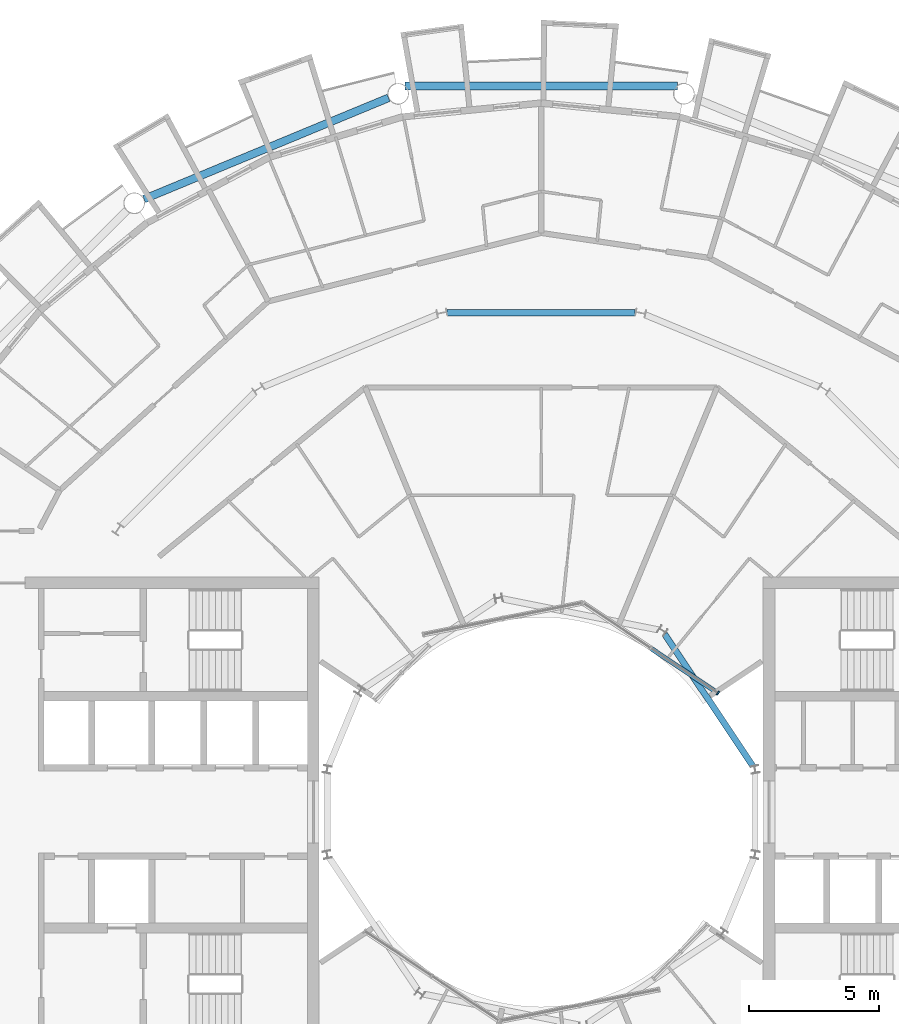
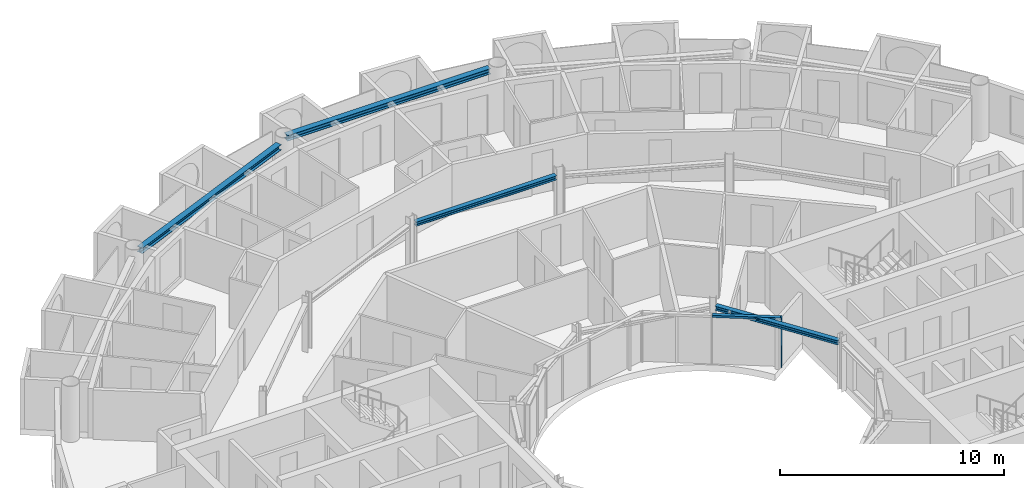
# One storey, part 10 of 29: 4 beams, 2 members, 1 element without a shape of its own.
"""IFC4 building model written with IfcOpenShell, lengths in metres."""

from ifc_helpers import new_model, si_unit, direction, frame, origin, origin_2d, place, context, subcontext, project, spatial, rectangle, i_section, extrude, material, layer, layer_set, material_profile, profile_set, type_object, element, aggregate, save


model = new_model("IFC4")

# Units and contexts
model_context = context("Model", 3, precision=1e-05, world=origin(), true_north=direction((0.0, 1.0)))
body_context = subcontext(model_context, "Body", "Model", "MODEL_VIEW")
ifc_project = project(units=[si_unit("LENGTHUNIT", "METRE"), si_unit("AREAUNIT", "SQUARE_METRE"), si_unit("VOLUMEUNIT", "CUBIC_METRE"), si_unit("PLANEANGLEUNIT", "RADIAN"), si_unit("MASSUNIT", "GRAM", prefix="KILO")], contexts=[model_context])

# Site, building, storey
site_placement = place(None, origin())
site = spatial("IfcSite", under=ifc_project, at=site_placement, CompositionType="ELEMENT")
building_placement = place(site_placement, origin())
building = spatial("IfcBuilding", under=site, at=building_placement, Name="Maasbend Ring Residences", CompositionType="ELEMENT")
storey_placement = place(building_placement, frame((0.0, 0.0, 212.699951171875)))
storey = spatial("IfcBuildingStorey", under=building, at=storey_placement, Name="L61", CompositionType="ELEMENT", Elevation=212.699951171875)

# Curtain wall, members
ifc_material_1 = material(Name="Aluminium and clear glass", Category="aluminium")
ifc_layer = layer(ifc_material_1, 0.179931640625)
ifc_layer_set = layer_set([ifc_layer], Name="CW-W")
curtain_wall_type = type_object("IfcCurtainWallType", Name="CW-W", PredefinedType="NOTDEFINED", material=ifc_layer_set)
curtain_wall_placement = place(storey_placement, origin())
curtain_wall = element("IfcCurtainWall", 1, at=curtain_wall_placement, inside=storey, type_object=curtain_wall_type, Name="Well curtain wall N1", PredefinedType="NOTDEFINED")
ifc_material_2 = material(Name="Aluminium 6063-T6", Category="aluminium")
ifc_material_profile_1 = material_profile(ifc_material_2, rectangle(XDim=0.179931640625, YDim=0.06005859375, at=origin_2d()), Name="AL 180x60")
ifc_profile_set_1 = profile_set([ifc_material_profile_1], Name="Aluminium 6063-T6")
member_type_1 = type_object("IfcMemberType", Name="CWM-W", PredefinedType="MULLION", material=ifc_profile_set_1)
member_1_placement = place(storey_placement, frame((6.805908203125, 4.580810546875, 0.0), z_axis=(0.0, 0.0, 1.0), x_axis=(-0.55557023302, -0.831469612303, 0.0)))
member_1 = element("IfcMember", 2, at=member_1_placement, type_object=member_type_1, Name="Mullion well face", PredefinedType="MULLION", context=body_context, shape_type="SweptSolid", body=[
    extrude(rectangle(XDim=0.179931640625, YDim=0.06005859375, at=origin_2d()), origin(), (0.0, 0.0, 1.0), 2.699951171875),
])
ifc_material_3 = material(Name="Aluminium 6063-T6", Category="aluminium")
ifc_material_profile_2 = material_profile(ifc_material_3, rectangle(XDim=0.179931640625, YDim=0.1201171875, at=origin_2d()), Name="AL 180x120")
ifc_profile_set_2 = profile_set([ifc_material_profile_2], Name="Aluminium 6063-T6")
member_type_2 = type_object("IfcMemberType", Name="CWT-W", PredefinedType="USERDEFINED", material=ifc_profile_set_2)
member_2_placement = place(storey_placement, frame((6.781005859375, 4.59765625, 2.64013671875), z_axis=(-0.831496422459, 0.555530106689, 0.0), x_axis=(-0.555530106689, -0.831496422459, 0.0)))
member_2 = element("IfcMember", 3, at=member_2_placement, type_object=member_type_2, Name="Transom well face", ObjectType="TRANSOM", PredefinedType="USERDEFINED", context=body_context, shape_type="SweptSolid", body=[
    extrude(rectangle(XDim=0.179931640625, YDim=0.1201171875, at=origin_2d()), origin(), (0.0, 0.0, 1.0), 3.053955078125),
])
aggregate(curtain_wall, [member_1, member_2])

# Beams
ifc_material_4 = material(Name="Steel S355J2", Category="steel")
ifc_material_profile_3 = material_profile(ifc_material_4, i_section(OverallWidth=0.239990234375, OverallDepth=0.22998046875, WebThickness=0.007568359375, FlangeThickness=0.011962890625, FilletRadius=0.02099609375, at=origin_2d()), Name="HEA 240")
ifc_profile_set_3 = profile_set([ifc_material_profile_3], Name="Steel S355J2")
beam_type_1 = type_object("IfcBeamType", Name="Corridor ring beam HEA 240", PredefinedType="BEAM", material=ifc_profile_set_3)
beam_1_placement = place(storey_placement, frame((3.619873046875, 19.223388671875, 2.5849609375), z_axis=(-1.0, 0.0, 0.0), x_axis=(0.0, -1.0, 0.0)))
element("IfcBeam", 4, at=beam_1_placement, inside=storey, type_object=beam_type_1, Name="Corridor ring beam", PredefinedType="BEAM", context=body_context, shape_type="SweptSolid", body=[
    extrude(i_section(OverallWidth=0.239990234375, OverallDepth=0.22998046875, WebThickness=0.007568359375, FlangeThickness=0.011962890625, FilletRadius=0.02099609375, at=origin_2d()), origin(), (0.0, 0.0, 1.0), 7.23974609375),
])
ifc_material_5 = material(Name="Steel S355J2", Category="steel")
ifc_material_profile_4 = material_profile(ifc_material_5, i_section(OverallWidth=0.300048828125, OverallDepth=0.300048828125, WebThickness=0.010986328125, FlangeThickness=0.01904296875, FilletRadius=0.027099609375, at=origin_2d()), Name="HEB 300")
ifc_profile_set_4 = profile_set([ifc_material_profile_4], Name="Steel S355J2")
beam_type_2 = type_object("IfcBeamType", Name="Spandrel ring beam HEB 300", PredefinedType="SPANDREL", material=ifc_profile_set_4)
beam_2_placement = place(storey_placement, frame((5.2451171875, 27.9580078125, 2.550048828125), z_axis=(-1.0, 0.0, 0.0), x_axis=(0.0, -1.0, 0.0)))
element("IfcBeam", 5, at=beam_2_placement, inside=storey, type_object=beam_type_2, Name="Spandrel ring beam", PredefinedType="SPANDREL", context=body_context, shape_type="SweptSolid", body=[
    extrude(i_section(OverallWidth=0.300048828125, OverallDepth=0.300048828125, WebThickness=0.010986328125, FlangeThickness=0.01904296875, FilletRadius=0.027099609375, at=origin_2d()), origin(), (0.0, 0.0, 1.0), 10.490234375),
])
beam_3_placement = place(storey_placement, frame((-5.877197265625, 27.50244140625, 2.550048828125), z_axis=(-0.923883676188, -0.382673428492, 0.0), x_axis=(0.382673428492, -0.923883676188, 0.0)))
element("IfcBeam", 6, at=beam_3_placement, inside=storey, type_object=beam_type_2, Name="Spandrel ring beam", PredefinedType="SPANDREL", context=body_context, shape_type="SweptSolid", body=[
    extrude(i_section(OverallWidth=0.300048828125, OverallDepth=0.300048828125, WebThickness=0.010986328125, FlangeThickness=0.01904296875, FilletRadius=0.027099609375, at=origin_2d()), origin(), (0.0, 0.0, 1.0), 10.18994140625),
])
ifc_material_6 = material(Name="Steel S355J2", Category="steel")
ifc_material_profile_5 = material_profile(ifc_material_6, i_section(OverallWidth=0.239990234375, OverallDepth=0.22998046875, WebThickness=0.007568359375, FlangeThickness=0.011962890625, FilletRadius=0.02099609375, at=origin_2d()), Name="HEA 240")
ifc_profile_set_5 = profile_set([ifc_material_profile_5], Name="Steel S355J2")
beam_type_3 = type_object("IfcBeamType", Name="Well edge beam HEA 240", PredefinedType="BEAM", material=ifc_profile_set_5)
beam_4_placement = place(storey_placement, frame((8.1513671875, 1.769287109375, 2.5849609375), z_axis=(-0.555584356119, 0.831460175376, 0.0), x_axis=(-0.831460175376, -0.555584356119, 0.0)))
element("IfcBeam", 7, at=beam_4_placement, inside=storey, type_object=beam_type_3, Name="Well edge beam", PredefinedType="BEAM", context=body_context, shape_type="SweptSolid", body=[
    extrude(i_section(OverallWidth=0.239990234375, OverallDepth=0.22998046875, WebThickness=0.007568359375, FlangeThickness=0.011962890625, FilletRadius=0.02099609375, at=origin_2d()), origin(), (0.0, 0.0, 1.0), 6.115234375),
])

save(model, "model.ifc")
